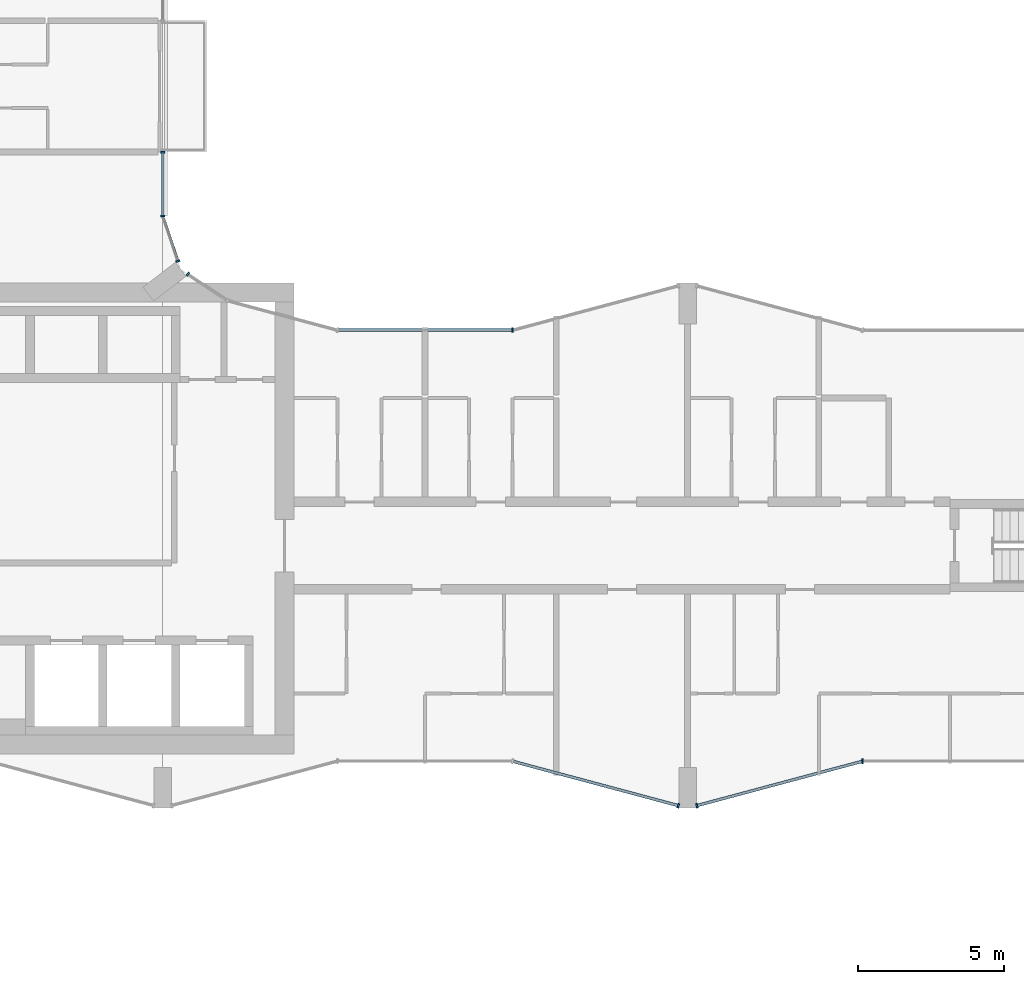
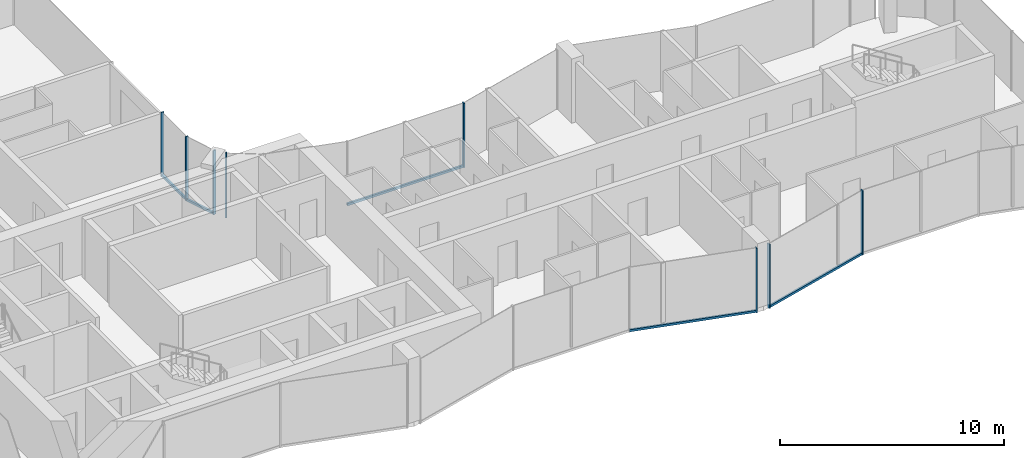
# One storey, part 4 of 22: 13 members, 7 elements without a shape of their own.
"""IFC4 building model written with IfcOpenShell, lengths in metres."""

from ifc_helpers import new_model, si_unit, direction, frame, origin, origin_2d, place, context, subcontext, project, spatial, rectangle, extrude, material, layer, layer_set, material_profile, profile_set, type_object, element, aggregate, save


model = new_model("IFC4")

# Units and contexts
model_context = context("Model", 3, precision=1e-05, world=origin(), true_north=direction((0.0, 1.0)))
body_context = subcontext(model_context, "Body", "Model", "MODEL_VIEW")
ifc_project = project(units=[si_unit("LENGTHUNIT", "METRE"), si_unit("AREAUNIT", "SQUARE_METRE"), si_unit("VOLUMEUNIT", "CUBIC_METRE"), si_unit("PLANEANGLEUNIT", "RADIAN"), si_unit("MASSUNIT", "GRAM", prefix="KILO")], contexts=[model_context])

# Site, building, storey
site_placement = place(None, origin())
site = spatial("IfcSite", under=ifc_project, at=site_placement, CompositionType="ELEMENT")
building_placement = place(site_placement, origin())
building = spatial("IfcBuilding", under=site, at=building_placement, Name="Plateau Cross Towers", CompositionType="ELEMENT")
storey_placement = place(building_placement, frame((0.0, 0.0, 102.800048828125)))
storey = spatial("IfcBuildingStorey", under=building, at=storey_placement, Name="L26", CompositionType="ELEMENT", Elevation=102.800048828125)

# Curtain wall, member
ifc_material_1 = material(Name="Dark low-iron glass", Category="glass")
ifc_layer_1 = layer(ifc_material_1, 0.239990234375)
ifc_layer_set_1 = layer_set([ifc_layer_1], Name="Dark low-iron glass")
curtain_wall_type_1 = type_object("IfcCurtainWallType", Name="Curtain wall flush unitised CW-B", PredefinedType="NOTDEFINED", material=ifc_layer_set_1)
curtain_wall_1_placement = place(storey_placement, origin())
curtain_wall_1 = element("IfcCurtainWall", 1, at=curtain_wall_1_placement, inside=storey, type_object=curtain_wall_type_1, Name="ENV/A/L26/A202_174", PredefinedType="NOTDEFINED")
ifc_material_2 = material(Name="Black anodised aluminium", Category="aluminium")
ifc_material_profile_1 = material_profile(ifc_material_2, rectangle(XDim=0.06005859375, YDim=0.139892578125, at=origin_2d()), Name="MULLION 60x140")
ifc_profile_set_1 = profile_set([ifc_material_profile_1], Name="Black anodised aluminium")
member_type_1 = type_object("IfcMemberType", Name="Mullion 60x140 flush unitised", PredefinedType="MULLION", material=ifc_profile_set_1)
member_1_placement = place(storey_placement, frame((18.86962890625, 18.30908203125, -0.25), z_axis=(0.0, 0.0, 1.0), x_axis=(-0.831521253329, 0.555492938984, 0.0)))
member_1 = element("IfcMember", 2, at=member_1_placement, type_object=member_type_1, Name="CW-B mullion 2", PredefinedType="MULLION", context=body_context, shape_type="SweptSolid", body=[
    extrude(rectangle(XDim=0.06005859375, YDim=0.139892578125, at=origin_2d()), origin(), (0.0, 0.0, 1.0), 3.5),
])
aggregate(curtain_wall_1, [member_1])

curtain_wall_2_placement = place(storey_placement, origin())
curtain_wall_2 = element("IfcCurtainWall", 3, at=curtain_wall_2_placement, inside=storey, type_object=curtain_wall_type_1, Name="ENV/A/L26/A185_188", PredefinedType="NOTDEFINED")
member_2_placement = place(storey_placement, frame((18.523681640625, 18.760009765625, -0.25), z_axis=(0.0, 0.0, 1.0), x_axis=(-0.321469161574, 0.94692004845, 0.0)))
member_2 = element("IfcMember", 4, at=member_2_placement, type_object=member_type_1, Name="CW-B mullion 1", PredefinedType="MULLION", context=body_context, shape_type="SweptSolid", body=[
    extrude(rectangle(XDim=0.06005859375, YDim=0.139892578125, at=origin_2d()), origin(), (0.0, 0.0, 1.0), 3.5),
])

# Curtain wall, members
curtain_wall_3_placement = place(storey_placement, origin())
curtain_wall_3 = element("IfcCurtainWall", 5, at=curtain_wall_3_placement, inside=storey, type_object=curtain_wall_type_1, Name="ENV/A/L26/A180_203", PredefinedType="NOTDEFINED")
member_3_placement = place(storey_placement, frame((18.0, 20.30224609375, -0.25), z_axis=(0.0, 0.0, 1.0), x_axis=(0.0, 1.0, 0.0)))
member_3 = element("IfcMember", 6, at=member_3_placement, type_object=member_type_1, Name="CW-B mullion 1", PredefinedType="MULLION", context=body_context, shape_type="SweptSolid", body=[
    extrude(rectangle(XDim=0.06005859375, YDim=0.139892578125, at=origin_2d()), origin(), (0.0, 0.0, 1.0), 3.5),
])
member_4_placement = place(storey_placement, frame((18.0, 22.489990234375, -0.25), z_axis=(0.0, 0.0, 1.0), x_axis=(0.0, 1.0, 0.0)))
member_4 = element("IfcMember", 7, at=member_4_placement, type_object=member_type_1, Name="CW-B mullion 2", PredefinedType="MULLION", context=body_context, shape_type="SweptSolid", body=[
    extrude(rectangle(XDim=0.06005859375, YDim=0.139892578125, at=origin_2d()), origin(), (0.0, 0.0, 1.0), 3.5),
])

# Curtain wall, member
ifc_layer_2 = layer(ifc_material_1, 0.260009765625)
ifc_layer_set_2 = layer_set([ifc_layer_2], Name="Dark low-iron glass")
curtain_wall_type_2 = type_object("IfcCurtainWallType", Name="Curtain wall fluted unitised CW-A", PredefinedType="NOTDEFINED", material=ifc_layer_set_2)
curtain_wall_4_placement = place(storey_placement, origin())
curtain_wall_4 = element("IfcCurtainWall", 8, at=curtain_wall_4_placement, inside=storey, type_object=curtain_wall_type_2, Name="ENV/A/L26/A300_16", PredefinedType="NOTDEFINED")
ifc_material_profile_2 = material_profile(ifc_material_2, rectangle(XDim=0.06005859375, YDim=0.159912109375, at=origin_2d()), Name="MULLION 60x160")
ifc_profile_set_2 = profile_set([ifc_material_profile_2], Name="Black anodised aluminium")
member_type_2 = type_object("IfcMemberType", Name="Mullion 60x160 fluted unitised", PredefinedType="MULLION", material=ifc_profile_set_2)
member_5_placement = place(storey_placement, frame((35.68212890625, 0.085205078125, -0.25), z_axis=(0.0, 0.0, 1.0), x_axis=(0.965957983404, -0.258699003279, 0.0)))
member_5 = element("IfcMember", 9, at=member_5_placement, type_object=member_type_2, Name="CW-A mullion 2", PredefinedType="MULLION", context=body_context, shape_type="SweptSolid", body=[
    extrude(rectangle(XDim=0.06005859375, YDim=0.159912109375, at=origin_2d()), origin(), (0.0, 0.0, 1.0), 3.5),
])

curtain_wall_5_placement = place(storey_placement, origin())
curtain_wall_5 = element("IfcCurtainWall", 10, at=curtain_wall_5_placement, inside=storey, type_object=curtain_wall_type_2, Name="ENV/A/L26/A363_1", PredefinedType="NOTDEFINED")
member_6_placement = place(storey_placement, frame((36.31787109375, 0.085205078125, -0.25), z_axis=(0.0, 0.0, 1.0), x_axis=(0.965957983404, 0.258699003279, 0.0)))
member_6 = element("IfcMember", 11, at=member_6_placement, type_object=member_type_2, Name="CW-A mullion 1", PredefinedType="MULLION", context=body_context, shape_type="SweptSolid", body=[
    extrude(rectangle(XDim=0.06005859375, YDim=0.159912109375, at=origin_2d()), origin(), (0.0, 0.0, 1.0), 3.5),
])

curtain_wall_6_placement = place(storey_placement, origin())
curtain_wall_6 = element("IfcCurtainWall", 12, at=curtain_wall_6_placement, inside=storey, type_object=curtain_wall_type_2, Name="ENV/A/L26/A420_16", PredefinedType="NOTDEFINED")
member_7_placement = place(storey_placement, frame((42.0, 1.60693359375, -0.25), z_axis=(0.0, 0.0, 1.0), x_axis=(1.0, 0.0, 0.0)))
member_7 = element("IfcMember", 13, at=member_7_placement, type_object=member_type_2, Name="CW-A mullion 1", PredefinedType="MULLION", context=body_context, shape_type="SweptSolid", body=[
    extrude(rectangle(XDim=0.06005859375, YDim=0.159912109375, at=origin_2d()), origin(), (0.0, 0.0, 1.0), 3.5),
])
aggregate(curtain_wall_6, [member_7])

curtain_wall_7_placement = place(storey_placement, origin())
curtain_wall_7 = element("IfcCurtainWall", 14, at=curtain_wall_7_placement, inside=storey, type_object=curtain_wall_type_2, Name="ENV/A/L26/A300_164", PredefinedType="NOTDEFINED")
member_8_placement = place(storey_placement, frame((30.0, 16.39306640625, -0.25), z_axis=(0.0, 0.0, 1.0), x_axis=(-1.0, 0.0, 0.0)))
member_8 = element("IfcMember", 15, at=member_8_placement, type_object=member_type_2, Name="CW-A mullion 1", PredefinedType="MULLION", context=body_context, shape_type="SweptSolid", body=[
    extrude(rectangle(XDim=0.06005859375, YDim=0.159912109375, at=origin_2d()), origin(), (0.0, 0.0, 1.0), 3.5),
])

# Member
ifc_material_profile_3 = material_profile(ifc_material_2, rectangle(XDim=0.10009765625, YDim=0.1201171875, at=origin_2d()), Name="TRANSOM 100x120")
ifc_profile_set_3 = profile_set([ifc_material_profile_3], Name="Black anodised aluminium")
member_type_3 = type_object("IfcMemberType", Name="Transom 100x120 flush unitised", PredefinedType="USERDEFINED", material=ifc_profile_set_3)
member_9_placement = place(storey_placement, frame((18.523681640625, 18.760009765625, -0.18994140625), z_axis=(-0.321529174838, 0.946899672472, 0.0), x_axis=(-0.946899672472, -0.321529174838, 0.0)))
member_9 = element("IfcMember", 16, at=member_9_placement, type_object=member_type_3, Name="CW-B transom", ObjectType="TRANSOM", PredefinedType="USERDEFINED", context=body_context, shape_type="SweptSolid", body=[
    extrude(rectangle(XDim=0.10009765625, YDim=0.1201171875, at=origin_2d()), origin(), (0.0, 0.0, 1.0), 1.628662109375),
])

aggregate(curtain_wall_2, [member_2, member_9])

member_10_placement = place(storey_placement, frame((18.0, 20.30224609375, -0.18994140625), z_axis=(0.0, 1.0, 0.0), x_axis=(-1.0, 0.0, 0.0)))
member_10 = element("IfcMember", 17, at=member_10_placement, type_object=member_type_3, Name="CW-B transom", ObjectType="TRANSOM", PredefinedType="USERDEFINED", context=body_context, shape_type="SweptSolid", body=[
    extrude(rectangle(XDim=0.10009765625, YDim=0.1201171875, at=origin_2d()), origin(), (0.0, 0.0, 1.0), 2.187744140625),
])

aggregate(curtain_wall_3, [member_3, member_4, member_10])

ifc_material_profile_4 = material_profile(ifc_material_2, rectangle(XDim=0.10009765625, YDim=0.1201171875, at=origin_2d()), Name="TRANSOM 100x120")
ifc_profile_set_4 = profile_set([ifc_material_profile_4], Name="Black anodised aluminium")
member_type_4 = type_object("IfcMemberType", Name="Transom 100x120 fluted unitised", PredefinedType="USERDEFINED", material=ifc_profile_set_4)
member_11_placement = place(storey_placement, frame((30.0, 1.60693359375, -0.18994140625), z_axis=(0.965959534794, -0.258693210465, 0.0), x_axis=(0.258693210465, 0.965959534794, 0.0)))
member_11 = element("IfcMember", 18, at=member_11_placement, type_object=member_type_4, Name="CW-A transom", ObjectType="TRANSOM", PredefinedType="USERDEFINED", context=body_context, shape_type="SweptSolid", body=[
    extrude(rectangle(XDim=0.10009765625, YDim=0.1201171875, at=origin_2d()), origin(), (0.0, 0.0, 1.0), 5.88232421875),
])

aggregate(curtain_wall_4, [member_5, member_11])

member_12_placement = place(storey_placement, frame((36.31787109375, 0.085205078125, -0.18994140625), z_axis=(0.965959534794, 0.258693210465, 0.0), x_axis=(-0.258693210465, 0.965959534794, 0.0)))
member_12 = element("IfcMember", 19, at=member_12_placement, type_object=member_type_4, Name="CW-A transom", ObjectType="TRANSOM", PredefinedType="USERDEFINED", context=body_context, shape_type="SweptSolid", body=[
    extrude(rectangle(XDim=0.10009765625, YDim=0.1201171875, at=origin_2d()), origin(), (0.0, 0.0, 1.0), 5.88232421875),
])

aggregate(curtain_wall_5, [member_6, member_12])

member_13_placement = place(storey_placement, frame((30.0, 16.39306640625, -0.18994140625), z_axis=(-1.0, 0.0, 0.0), x_axis=(0.0, -1.0, 0.0)))
member_13 = element("IfcMember", 20, at=member_13_placement, type_object=member_type_4, Name="CW-A transom", ObjectType="TRANSOM", PredefinedType="USERDEFINED", context=body_context, shape_type="SweptSolid", body=[
    extrude(rectangle(XDim=0.10009765625, YDim=0.1201171875, at=origin_2d()), origin(), (0.0, 0.0, 1.0), 6.0),
])

aggregate(curtain_wall_7, [member_8, member_13])

save(model, "model.ifc")
